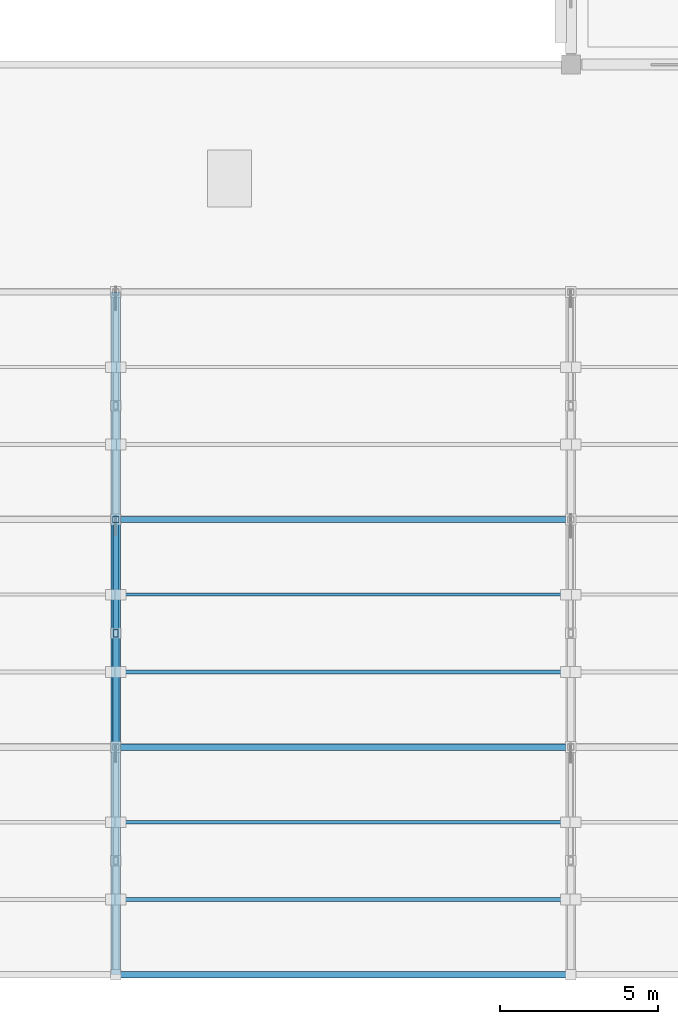
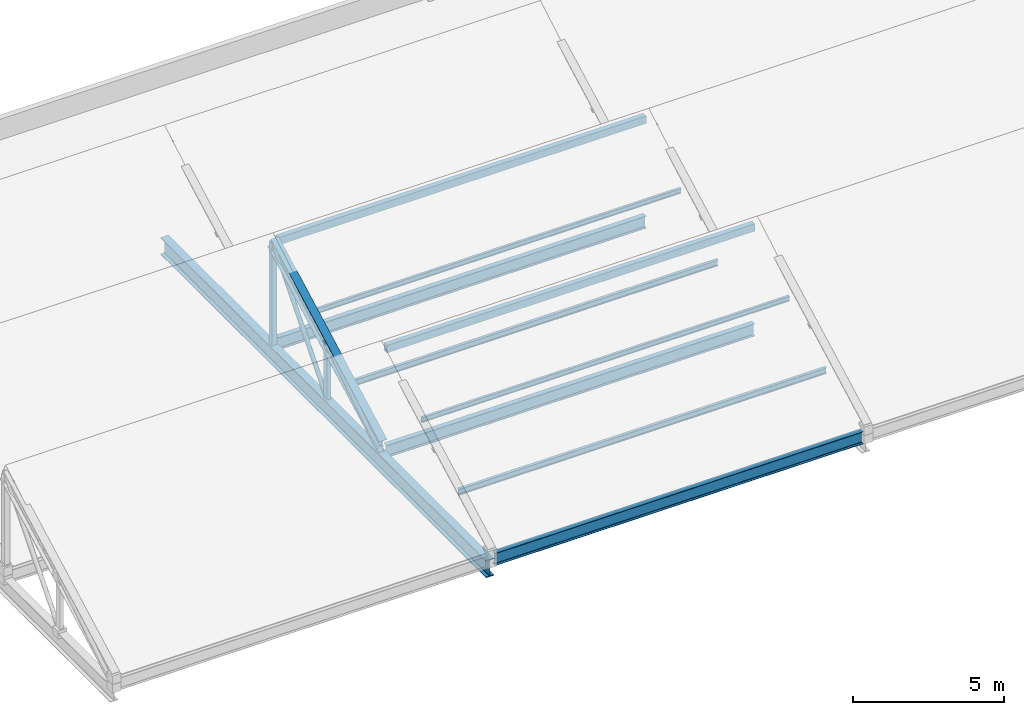
# One storey, part 18 of 62: 11 members, 4 beams.
"""IFC4 building model written with IfcOpenShell, lengths in metres."""

from ifc_helpers import new_model, si_unit, direction, frame, origin, origin_2d, place, context, subcontext, project, spatial, hollow_rectangle, hollow_circle, i_section, extrude, material, material_profile, profile_set, type_object, element, save


model = new_model("IFC4")

# Units and contexts
model_context = context("Model", 3, precision=1e-05, world=origin(), true_north=direction((0.0, 1.0)))
body_context = subcontext(model_context, "Body", "Model", "MODEL_VIEW")
ifc_project = project(units=[si_unit("LENGTHUNIT", "METRE"), si_unit("AREAUNIT", "SQUARE_METRE"), si_unit("VOLUMEUNIT", "CUBIC_METRE"), si_unit("PLANEANGLEUNIT", "RADIAN"), si_unit("MASSUNIT", "GRAM", prefix="KILO")], contexts=[model_context])

# Site, building, storey
site_placement = place(None, origin())
site = spatial("IfcSite", under=ifc_project, at=site_placement, CompositionType="ELEMENT")
building_placement = place(site_placement, origin())
building = spatial("IfcBuilding", under=site, at=building_placement, Name="Valkovuoma Quantum and Materials Research Institute", CompositionType="ELEMENT")
storey_placement = place(building_placement, frame((0.0, 0.0, 13.1201171875)))
storey = spatial("IfcBuildingStorey", under=building, at=storey_placement, Name="L03", CompositionType="ELEMENT", Elevation=13.1201171875)

# Beams
ifc_material_1 = material(Name="Steel S355J2", Category="steel")
ifc_material_profile_1 = material_profile(ifc_material_1, i_section(OverallWidth=0.300048828125, OverallDepth=0.699951171875, WebThickness=0.01708984375, FlangeThickness=0.031982421875, FilletRadius=0.027099609375, at=origin_2d()), Name="Steel S355J2")
ifc_profile_set_1 = profile_set([ifc_material_profile_1], Name="Steel S355J2")
beam_type_1 = type_object("IfcBeamType", Name="Beam-B-HEB700", PredefinedType="BEAM", material=ifc_profile_set_1)
beam_placement = place(storey_placement, frame((115.199951171875, 7.199951171875, -0.650146484375), z_axis=(0.0, 1.0, 0.0), x_axis=(-1.0, 0.0, 0.0)))
element("IfcBeam", 1, at=beam_placement, inside=storey, type_object=beam_type_1, Name="L03 VOL1 sawtooth tie girder 2", PredefinedType="BEAM", context=body_context, shape_type="SweptSolid", body=[
    extrude(i_section(OverallWidth=0.300048828125, OverallDepth=0.699951171875, WebThickness=0.01708984375, FlangeThickness=0.031982421875, FilletRadius=0.027099609375, at=origin_2d()), origin(), (0.0, 0.0, 1.0), 21.60009765625),
])
ifc_material_2 = material(Name="Steel S355J2", Category="steel")
ifc_material_profile_2 = material_profile(ifc_material_2, i_section(OverallWidth=0.199951171875, OverallDepth=0.5, WebThickness=0.01025390625, FlangeThickness=0.01611328125, FilletRadius=0.02099609375, at=origin_2d()), Name="Steel S355J2")
ifc_profile_set_2 = profile_set([ifc_material_profile_2], Name="Steel S355J2")
beam_type_2 = type_object("IfcBeamType", Name="Beam-B-IPE500", PredefinedType="BEAM", material=ifc_profile_set_2)
for number, where, z_axis, x_axis, name in (
    (2, (115.35009765625, 7.199951171875, -0.300048828125), (1.0, 0.0, 0.0), (0.0, 1.0, 0.0), "L03 VOL1 valley beam 1.2"),
    (3, (115.35009765625, 14.39990234375, -0.300048828125), (1.0, 0.0, 0.0), (0.0, 1.0, 0.0), "L03 VOL1 valley beam 2.2"),
    (4, (115.35009765625, 21.60009765625, -0.300048828125), (1.0, 0.0, 0.0), (0.0, 1.0, 0.0), "L03 VOL1 valley beam 3.2"),
):
    element("IfcBeam", number, at=place(storey_placement, frame(where, z_axis=z_axis, x_axis=x_axis)), inside=storey, type_object=beam_type_2, Name=name, PredefinedType="BEAM", context=body_context, shape_type="SweptSolid", body=[
        extrude(i_section(OverallWidth=0.199951171875, OverallDepth=0.5, WebThickness=0.01025390625, FlangeThickness=0.01611328125, FilletRadius=0.02099609375, at=origin_2d()), origin(), (0.0, 0.0, 1.0), 14.099853515625),
    ])

# Members
ifc_material_3 = material(Name="Steel S355J2H", Category="steel")
ifc_material_profile_3 = material_profile(ifc_material_3, hollow_circle(Radius=0.084228515625, WallThickness=0.008056640625, at=origin_2d()), Name="Steel S355J2H")
ifc_profile_set_3 = profile_set([ifc_material_profile_3], Name="Steel S355J2H")
member_type_1 = type_object("IfcMemberType", Name="Mem-M-BRC168", PredefinedType="BRACE", material=ifc_profile_set_3)
member_1_placement = place(storey_placement, frame((115.199951171875, 18.0, -0.35009765625), z_axis=(0.0, 0.650805911728, 0.759244140748), x_axis=(-1.0, 0.0, 0.0)))
element("IfcMember", 5, at=member_1_placement, inside=storey, type_object=member_type_1, Name="L03 VOL1 sawtooth web brace 2.2B", PredefinedType="BRACE", context=body_context, shape_type="SweptSolid", body=[
    extrude(hollow_circle(Radius=0.084228515625, WallThickness=0.008056640625, at=origin_2d()), origin(), (0.0, 0.0, 1.0), 5.53173828125),
])
ifc_material_4 = material(Name="Steel S355J2H", Category="steel")
ifc_material_profile_4 = material_profile(ifc_material_4, hollow_circle(Radius=0.109619140625, WallThickness=0.010009765625, at=origin_2d()), Name="Steel S355J2H")
ifc_profile_set_4 = profile_set([ifc_material_profile_4], Name="Steel S355J2H")
member_type_2 = type_object("IfcMemberType", Name="Mem-M-BRC219", PredefinedType="BRACE", material=ifc_profile_set_4)
member_2_placement = place(storey_placement, frame((115.199951171875, 14.39990234375, -0.35009765625), z_axis=(0.0, 0.84536627719, 0.53418709961), x_axis=(-1.0, 0.0, 0.0)))
element("IfcMember", 6, at=member_2_placement, inside=storey, type_object=member_type_2, Name="L03 VOL1 sawtooth web brace 2.2A", PredefinedType="BRACE", context=body_context, shape_type="SweptSolid", body=[
    extrude(hollow_circle(Radius=0.109619140625, WallThickness=0.010009765625, at=origin_2d()), origin(), (0.0, 0.0, 1.0), 4.258544921875),
])
ifc_material_5 = material(Name="Steel S355J2H", Category="steel")
ifc_material_profile_5 = material_profile(ifc_material_5, hollow_rectangle(XDim=0.199951171875, YDim=0.300048828125, WallThickness=0.012451171875, at=origin_2d()), Name="Steel S355J2H")
ifc_profile_set_5 = profile_set([ifc_material_profile_5], Name="Steel S355J2H")
member_type_3 = type_object("IfcMemberType", Name="Mem-M-CHD300", PredefinedType="CHORD", material=ifc_profile_set_5)
for number, where, z_axis, x_axis, name in (
    (7, (115.35009765625, 14.39990234375, 3.849853515625), (1.0, 0.0, 0.0), (0.0, 1.0, 0.0), "L03 VOL1 ridge chord 1.2"),
    (8, (115.35009765625, 21.60009765625, 3.849853515625), (1.0, 0.0, 0.0), (0.0, 1.0, 0.0), "L03 VOL1 ridge chord 2.2"),
):
    element("IfcMember", number, at=place(storey_placement, frame(where, z_axis=z_axis, x_axis=x_axis)), inside=storey, type_object=member_type_3, Name=name, PredefinedType="CHORD", context=body_context, shape_type="SweptSolid", body=[
        extrude(hollow_rectangle(XDim=0.199951171875, YDim=0.300048828125, WallThickness=0.012451171875, at=origin_2d()), origin(), (0.0, 0.0, 1.0), 14.099853515625),
    ])
ifc_material_6 = material(Name="Steel S355J2", Category="steel")
ifc_material_profile_6 = material_profile(ifc_material_6, i_section(OverallWidth=0.300048828125, OverallDepth=0.5, WebThickness=0.014404296875, FlangeThickness=0.028076171875, FilletRadius=0.027099609375, at=origin_2d()), Name="Steel S355J2")
ifc_profile_set_6 = profile_set([ifc_material_profile_6], Name="Steel S355J2")
member_type_4 = type_object("IfcMemberType", Name="Mem-M-CHD500", PredefinedType="CHORD", material=ifc_profile_set_6)
member_3_placement = place(storey_placement, frame((115.199951171875, 14.39990234375, 0.0), z_axis=(0.0, 0.881856644358, 0.471517612399), x_axis=(-1.0, 0.0, 0.0)))
element("IfcMember", 9, at=member_3_placement, inside=storey, type_object=member_type_4, Name="L03 VOL1 sawtooth top chord 2.2", PredefinedType="CHORD", context=body_context, shape_type="SweptSolid", body=[
    extrude(i_section(OverallWidth=0.300048828125, OverallDepth=0.5, WebThickness=0.014404296875, FlangeThickness=0.028076171875, FilletRadius=0.027099609375, at=origin_2d()), origin(), (0.0, 0.0, 1.0), 8.164794921875),
])
ifc_material_7 = material(Name="Steel S355J2", Category="steel")
ifc_material_profile_7 = material_profile(ifc_material_7, i_section(OverallWidth=0.10009765625, OverallDepth=0.199951171875, WebThickness=0.005615234375, FlangeThickness=0.008544921875, FilletRadius=0.011962890625, at=origin_2d()), Name="Steel S355J2")
ifc_profile_set_7 = profile_set([ifc_material_profile_7], Name="Steel S355J2")
member_type_5 = type_object("IfcMemberType", Name="Mem-M-PRL200", PredefinedType="PURLIN", material=ifc_profile_set_7)
for number, where, z_axis, x_axis, name in (
    (10, (115.35009765625, 12.02392578125, 2.379150390625), (1.0, 0.0, 0.0), (0.0, 1.0, 0.0), "L03 VOL1 roof purlin 1.2.2"),
    (11, (115.35009765625, 19.22412109375, 2.379150390625), (1.0, 0.0, 0.0), (0.0, 1.0, 0.0), "L03 VOL1 roof purlin 2.2.2"),
):
    element("IfcMember", number, at=place(storey_placement, frame(where, z_axis=z_axis, x_axis=x_axis)), inside=storey, type_object=member_type_5, Name=name, PredefinedType="PURLIN", context=body_context, shape_type="SweptSolid", body=[
        extrude(i_section(OverallWidth=0.10009765625, OverallDepth=0.199951171875, WebThickness=0.005615234375, FlangeThickness=0.008544921875, FilletRadius=0.011962890625, at=origin_2d()), origin(), (0.0, 0.0, 1.0), 14.099853515625),
    ])
ifc_material_8 = material(Name="Steel S355J2", Category="steel")
ifc_material_profile_8 = material_profile(ifc_material_8, i_section(OverallWidth=0.1201171875, OverallDepth=0.239990234375, WebThickness=0.006103515625, FlangeThickness=0.009765625, FilletRadius=0.014892578125, at=origin_2d()), Name="Steel S355J2")
ifc_profile_set_8 = profile_set([ifc_material_profile_8], Name="Steel S355J2")
member_type_6 = type_object("IfcMemberType", Name="Mem-M-PRL240", PredefinedType="PURLIN", material=ifc_profile_set_8)
for number, where, z_axis, x_axis, name in (
    (12, (115.35009765625, 9.575927734375, 0.951171875), (1.0, 0.0, 0.0), (0.0, 1.0, 0.0), "L03 VOL1 roof purlin 1.2.1"),
    (13, (115.35009765625, 16.77587890625, 0.951171875), (1.0, 0.0, 0.0), (0.0, 1.0, 0.0), "L03 VOL1 roof purlin 2.2.1"),
):
    element("IfcMember", number, at=place(storey_placement, frame(where, z_axis=z_axis, x_axis=x_axis)), inside=storey, type_object=member_type_6, Name=name, PredefinedType="PURLIN", context=body_context, shape_type="SweptSolid", body=[
        extrude(i_section(OverallWidth=0.1201171875, OverallDepth=0.239990234375, WebThickness=0.006103515625, FlangeThickness=0.009765625, FilletRadius=0.014892578125, at=origin_2d()), origin(), (0.0, 0.0, 1.0), 14.099853515625),
    ])
ifc_material_9 = material(Name="Steel S355J2H", Category="steel")
ifc_material_profile_9 = material_profile(ifc_material_9, hollow_rectangle(XDim=0.199951171875, YDim=0.199951171875, WallThickness=0.010009765625, at=origin_2d()), Name="Steel S355J2H")
ifc_profile_set_9 = profile_set([ifc_material_profile_9], Name="Steel S355J2H")
member_type_7 = type_object("IfcMemberType", Name="Mem-M-STR200", PredefinedType="STRUT", material=ifc_profile_set_9)
member_4_placement = place(storey_placement, frame((115.199951171875, 21.60009765625, -0.35009765625), z_axis=(0.0, 0.0, 1.0), x_axis=(1.0, 0.0, 0.0)))
element("IfcMember", 14, at=member_4_placement, inside=storey, type_object=member_type_7, Name="L03 VOL1 sawtooth north post 2.2", PredefinedType="STRUT", context=body_context, shape_type="SweptSolid", body=[
    extrude(hollow_rectangle(XDim=0.199951171875, YDim=0.199951171875, WallThickness=0.010009765625, at=origin_2d()), origin(), (0.0, 0.0, 1.0), 4.199951171875),
])
ifc_material_10 = material(Name="Steel S355J2H", Category="steel")
ifc_material_profile_10 = material_profile(ifc_material_10, hollow_rectangle(XDim=0.14990234375, YDim=0.25, WallThickness=0.010009765625, at=origin_2d()), Name="Steel S355J2H")
ifc_profile_set_10 = profile_set([ifc_material_profile_10], Name="Steel S355J2H")
member_type_8 = type_object("IfcMemberType", Name="Mem-M-STR250R", PredefinedType="STRUT", material=ifc_profile_set_10)
member_5_placement = place(storey_placement, frame((115.199951171875, 18.0, -0.35009765625), z_axis=(0.0, 0.0, 1.0), x_axis=(1.0, 0.0, 0.0)))
element("IfcMember", 15, at=member_5_placement, inside=storey, type_object=member_type_8, Name="L03 VOL1 sawtooth mid strut 2.2", PredefinedType="STRUT", context=body_context, shape_type="SweptSolid", body=[
    extrude(hollow_rectangle(XDim=0.14990234375, YDim=0.25, WallThickness=0.010009765625, at=origin_2d()), origin(), (0.0, 0.0, 1.0), 2.27490234375),
])

save(model, "model.ifc")
